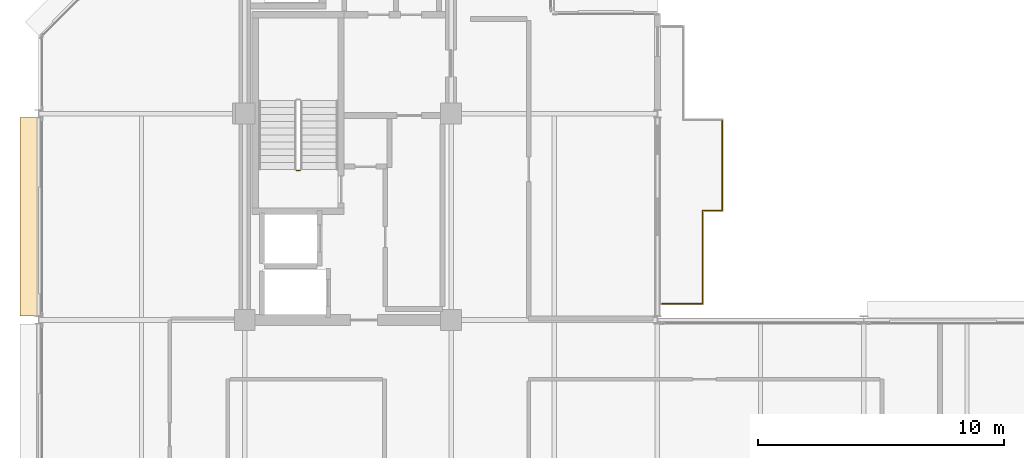
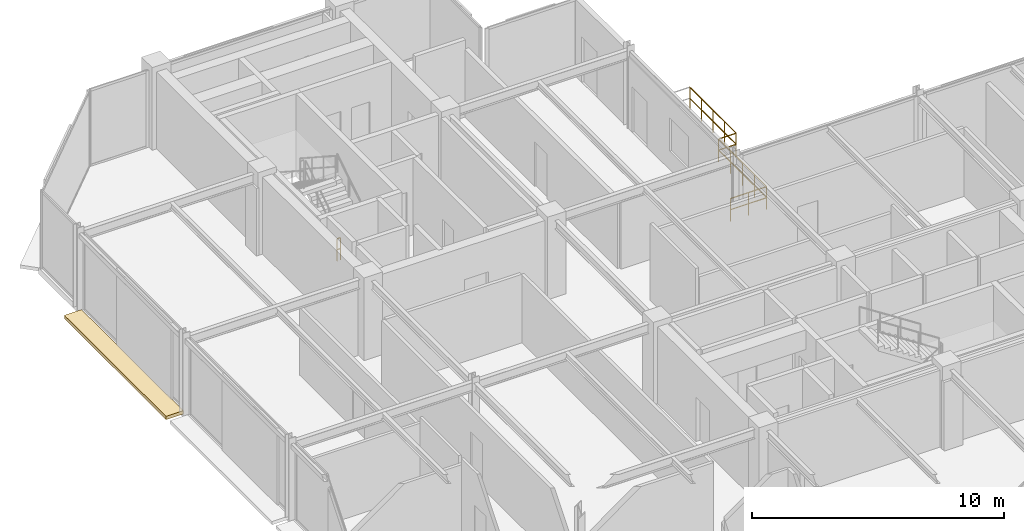
# One storey, part 25 of 27: 5 railings, 1 covering.
"""IFC4 building model written with IfcOpenShell, lengths in metres."""

import ifcopenshell
import ifcopenshell.guid

model = None  # the IFC model being written
_history = None  # IfcOwnerHistory: only IFC2X3 demands one
_inside = {}  # id of a spatial element -> (the spatial element, [elements in it])
_under = {}  # id of a project, library or spatial element -> (it, [spatial elements below it])
_declared = {}  # id of a project -> (the project, [libraries it declares])
_typed = {}  # id of a type object -> (the type object, [elements of that type])
_made_of = {}  # id of a material, layer set ... -> (it, [elements and type objects made of it])


def new_model(schema):
    """Start an empty IFC model of exactly this schema.

    Asked for "IFC4X3", IfcOpenShell would pick the latest addendum, in which some entities
    have other attributes; the version numbers below select the first issue.
    IFC2X3 requires an IfcOwnerHistory on every rooted entity: one is made here for all.
    """
    global model, _history
    if schema == "IFC4X3":
        model = ifcopenshell.file(schema_version=(4, 3, 0, 0))
    else:
        model = ifcopenshell.file(schema=schema)
    _inside.clear()
    _under.clear()
    _declared.clear()
    _typed.clear()
    _made_of.clear()
    _history = None
    if model.schema == "IFC2X3":
        org = make("IfcOrganization", Name="unknown")
        user = make(
            "IfcPersonAndOrganization",
            ThePerson=make("IfcPerson", FamilyName="unknown"),
            TheOrganization=org,
        )
        app = make(
            "IfcApplication",
            ApplicationDeveloper=org,
            Version="unknown",
            ApplicationFullName="unknown",
            ApplicationIdentifier="unknown",
        )
        _history = make(
            "IfcOwnerHistory",
            OwningUser=user,
            OwningApplication=app,
            ChangeAction="ADDED",
            CreationDate=0,
        )
    return model


def make(cls, **values):
    """One entity of the class cls with the attributes given. An attribute that is None is left unset."""
    return model.create_entity(
        cls, **{name: value for name, value in values.items() if value is not None}
    )


def rooted(cls, **values):
    """An entity with a GlobalId (a new one), such as an element, a storey or a relation."""
    return make(cls, GlobalId=ifcopenshell.guid.new(), OwnerHistory=_history, **values)


def si_unit(unit_type, name, prefix=None):
    """IfcSIUnit, for example si_unit("LENGTHUNIT", "METRE", prefix="MILLI")."""
    return make("IfcSIUnit", UnitType=unit_type, Prefix=prefix, Name=name)


def assignment(units):
    """IfcUnitAssignment: the units of a project."""
    return None if units is None else make("IfcUnitAssignment", Units=units)


def point(xyz):
    """IfcCartesianPoint."""
    return None if xyz is None else make("IfcCartesianPoint", Coordinates=xyz)


def direction(xyz):
    """IfcDirection."""
    return None if xyz is None else make("IfcDirection", DirectionRatios=xyz)


def frame(location, z_axis=None, x_axis=None):
    """IfcAxis2Placement3D, a coordinate frame: its origin and axes. An axis left out is left unset."""
    return make(
        "IfcAxis2Placement3D",
        Location=point(location),
        Axis=direction(z_axis),
        RefDirection=direction(x_axis),
    )


def frame_2d(location, x_axis=None):
    """IfcAxis2Placement2D, a coordinate frame in the plane: its origin and x axis."""
    return make(
        "IfcAxis2Placement2D", Location=point(location), RefDirection=direction(x_axis)
    )


def origin():
    """The frame at (0, 0, 0) with its axes left unset."""
    return frame((0.0, 0.0, 0.0))


def origin_2d():
    """The frame at (0, 0) in the plane with its x axis left unset."""
    return frame_2d((0.0, 0.0))


def place(relative_to, where):
    """IfcLocalPlacement: puts the frame where relative to a parent placement (None: the world)."""
    return make(
        "IfcLocalPlacement", PlacementRelTo=relative_to, RelativePlacement=where
    )


def context(
    kind, dimensions, precision=None, world=None, true_north=None, identifier=None
):
    """IfcGeometricRepresentationContext, for example the 3D "Model" context."""
    return make(
        "IfcGeometricRepresentationContext",
        ContextIdentifier=identifier,
        ContextType=kind,
        CoordinateSpaceDimension=dimensions,
        Precision=precision,
        WorldCoordinateSystem=world,
        TrueNorth=true_north,
    )


def subcontext(parent, identifier, kind, view, scale=None):
    """IfcGeometricRepresentationSubContext, for example "Body" below "Model"."""
    return make(
        "IfcGeometricRepresentationSubContext",
        ContextIdentifier=identifier,
        ContextType=kind,
        ParentContext=parent,
        TargetScale=scale,
        TargetView=view,
    )


def project(units=None, contexts=None):
    """IfcProject with its units and contexts."""
    return rooted(
        "IfcProject",
        Name="project",
        RepresentationContexts=contexts,
        UnitsInContext=assignment(units),
    )


def spatial(cls, under=None, at=None, **own):
    """A site, building, storey or space (cls), placed at a placement, below another one or the project."""
    s = rooted(cls, ObjectPlacement=at, **own)
    if under is not None:
        _under.setdefault(under.id(), (under, []))[1].append(s)
    return s


def polyline(points):
    """IfcPolyline through the points."""
    return make("IfcPolyline", Points=[point(p) for p in points])


def profile(cls, at=None, kind="AREA", **sizes):
    """A parametric profile (cls). Its sizes go by their IFC names, for example OverallWidth=200.0."""
    return make(cls, ProfileType=kind, Position=at, **sizes)


def circle(**sizes):
    """IfcCircleProfileDef."""
    return profile("IfcCircleProfileDef", **sizes)


def outline(outer, holes=None, kind="AREA"):
    """IfcArbitraryClosedProfileDef: a profile drawn as a closed curve; with holes, ...WithVoids."""
    if holes is None:
        return make("IfcArbitraryClosedProfileDef", ProfileType=kind, OuterCurve=outer)
    return make(
        "IfcArbitraryProfileDefWithVoids",
        ProfileType=kind,
        OuterCurve=outer,
        InnerCurves=holes,
    )


def extrude(swept, where, along, depth):
    """IfcExtrudedAreaSolid: the profile swept, set in the frame where, extruded along a direction by depth."""
    return make(
        "IfcExtrudedAreaSolid",
        SweptArea=swept,
        Position=where,
        ExtrudedDirection=direction(along),
        Depth=depth,
    )


def shape(context_of_items, identifier, shape_type, items):
    """IfcShapeRepresentation: the items that make up one representation, for example the "Body"."""
    return make(
        "IfcShapeRepresentation",
        ContextOfItems=context_of_items,
        RepresentationIdentifier=identifier,
        RepresentationType=shape_type,
        Items=items,
    )


def material(Name=None, Category=None):
    """IfcMaterial."""
    return make("IfcMaterial", Name=Name, Category=Category)


def layer(
    of_material, thickness, ventilated=None, Name=None, Category=None, Priority=None
):
    """IfcMaterialLayer: one layer of a wall or slab, of a material (None: an air gap)."""
    return make(
        "IfcMaterialLayer",
        Material=of_material,
        LayerThickness=thickness,
        IsVentilated=ventilated,
        Name=Name,
        Category=Category,
        Priority=Priority,
    )


def layer_set(layers, Name=None):
    """IfcMaterialLayerSet."""
    return make("IfcMaterialLayerSet", MaterialLayers=layers, LayerSetName=Name)


def made_of(thing, what):
    """Note that an element or type object is made of a material, layer set ...; save() writes the relation."""
    if what is not None:
        _made_of.setdefault(what.id(), (what, []))[1].append(thing)
    return thing


def type_object(cls, material=None, **own):
    """A type object (cls), such as IfcWallType, which elements share."""
    return made_of(rooted(cls, **own), material)


def element(
    cls,
    number,
    at=None,
    inside=None,
    cuts=None,
    type_object=None,
    material=None,
    context=None,
    identifier="Body",
    shape_type=None,
    held_by="IfcProductDefinitionShape",
    body=None,
    shapes=None,
    **own,
):
    """One element of the class cls, such as IfcWall. Its Tag is "e" and its number.

    at: its placement. inside: the storey or other place that contains it. cuts: it is an
    opening in that element (IfcRelVoidsElement). A single representation is given by context,
    identifier, shape_type and body (its items); several are given by shapes. held_by: the class
    of the entity that holds the representations. save() writes the other relations.
    """
    e = rooted(cls, Tag="e%d" % number, ObjectPlacement=at, **own)
    if body is not None:
        shapes = [shape(context, identifier, shape_type, body)]
    if shapes is not None:
        e.Representation = make(held_by, Representations=shapes)
    if inside is not None:
        _inside.setdefault(inside.id(), (inside, []))[1].append(e)
    if cuts is not None:
        rooted(
            "IfcRelVoidsElement", RelatingBuildingElement=cuts, RelatedOpeningElement=e
        )
    if type_object is not None:
        _typed.setdefault(type_object.id(), (type_object, []))[1].append(e)
    return made_of(e, material)


def aggregate(whole, parts):
    """IfcRelAggregates: a whole, such as a stair, and the parts it consists of."""
    return rooted("IfcRelAggregates", RelatingObject=whole, RelatedObjects=parts)


def save(model, path):
    """Write the relations noted so far, then the file.

    IfcRelAggregates (storeys below a building ...), IfcRelContainedInSpatialStructure (elements
    in a storey), IfcRelDefinesByType, IfcRelAssociatesMaterial and IfcRelDeclares: one each for
    every whole, place, type object, material and project.
    """
    for whole, parts in _under.values():
        aggregate(whole, parts)
    for where, things in _inside.values():
        rooted(
            "IfcRelContainedInSpatialStructure",
            RelatedElements=things,
            RelatingStructure=where,
        )
    for kind, things in _typed.values():
        rooted("IfcRelDefinesByType", RelatedObjects=things, RelatingType=kind)
    for what, things in _made_of.values():
        rooted("IfcRelAssociatesMaterial", RelatedObjects=things, RelatingMaterial=what)
    for by, libraries in _declared.values():
        rooted("IfcRelDeclares", RelatingContext=by, RelatedDefinitions=libraries)
    model.write(path)


model = new_model("IFC4")

# Units and contexts
model_context = context("Model", 3, precision=1e-05, world=origin(), true_north=direction((0.0, 1.0)))
body_context = subcontext(model_context, "Body", "Model", "MODEL_VIEW")
ifc_project = project(units=[si_unit("LENGTHUNIT", "METRE"), si_unit("AREAUNIT", "SQUARE_METRE"), si_unit("VOLUMEUNIT", "CUBIC_METRE"), si_unit("PLANEANGLEUNIT", "RADIAN"), si_unit("MASSUNIT", "GRAM", prefix="KILO")], contexts=[model_context])

# Site, building, storey
site_placement = place(None, origin())
site = spatial("IfcSite", under=ifc_project, at=site_placement, CompositionType="ELEMENT")
building_placement = place(site_placement, origin())
building = spatial("IfcBuilding", under=site, at=building_placement, Name="Nerrivon Quay Data Exchange", CompositionType="ELEMENT")
storey_placement = place(building_placement, frame((0.0, 0.0, 278.199951171875)))
storey = spatial("IfcBuildingStorey", under=building, at=storey_placement, Name="L66", CompositionType="ELEMENT", Elevation=278.199951171875)

# Covering
ifc_material_1 = material(Name="Architectural terracotta ceramic", Category="masonry")
ifc_layer = layer(ifc_material_1, 0.159912109375)
ifc_layer_set = layer_set([ifc_layer], Name="Architectural terracotta ceramic")
covering_type = type_object("IfcCoveringType", Name="COV-BLD-TERR", PredefinedType="CLADDING", material=ifc_layer_set)
covering_placement = place(storey_placement, frame((0.0, 0.0, -0.159912109375)))
element("IfcCovering", 1, at=covering_placement, inside=storey, type_object=covering_type, Name="L66 Horizontal Terracotta SOLAR SCREEN Blade", PredefinedType="CLADDING", context=body_context, shape_type="SweptSolid", body=[
    extrude(outline(polyline([(0.0400390625, 25.363525390625), (0.0400390625, 33.4365234375), (-0.75, 33.4365234375), (-0.75, 25.363525390625), (0.0400390625, 25.363525390625)])), origin(), (0.0, 0.0, 1.0), 0.159912109375),
])

# Railings
ifc_material_2 = material(Name="Steel Grade C350L0 (350 MPa)", Category="steel")
railing_type_1 = type_object("IfcRailingType", Name="RAIL-GUARD-GR2", PredefinedType="BALUSTRADE", material=ifc_material_2)
railing_1_placement = place(storey_placement, frame((27.0400390625, 29.659912109375, 0.0)))
element("IfcRailing", 2, at=railing_1_placement, inside=storey, type_object=railing_type_1, Name="L66 Verandah Balcony Guard 1.1 1", PredefinedType="BALUSTRADE", context=body_context, shape_type="SweptSolid", body=[
    extrude(circle(Radius=0.02392578125, at=origin_2d()), frame((0.0, 0.0, 1.09619140625), z_axis=(0.0, -1.0, 0.0), x_axis=(1.0, 0.0, 0.0)), (0.0, 0.0, 1.0), 3.7998046875),
    extrude(circle(Radius=0.02392578125, at=origin_2d()), frame((0.0, 0.0, 0.56005859375), z_axis=(0.0, -1.0, 0.0), x_axis=(1.0, 0.0, 0.0)), (0.0, 0.0, 1.0), 3.7998046875),
    extrude(circle(Radius=0.02099609375, at=origin_2d()), origin(), (0.0, 0.0, 1.0), 1.072021484375),
    extrude(circle(Radius=0.02099609375, at=origin_2d()), frame((0.0, -0.949951171875, 0.0)), (0.0, 0.0, 1.0), 1.072021484375),
    extrude(circle(Radius=0.02099609375, at=origin_2d()), frame((0.0, -1.89990234375, 0.0)), (0.0, 0.0, 1.0), 1.072021484375),
    extrude(circle(Radius=0.02099609375, at=origin_2d()), frame((0.0, -2.849853515625, 0.0)), (0.0, 0.0, 1.0), 1.072021484375),
    extrude(circle(Radius=0.02099609375, at=origin_2d()), frame((0.0, -3.7998046875, 0.0)), (0.0, 0.0, 1.0), 1.072021484375),
])
railing_2_placement = place(storey_placement, frame((27.0400390625, 25.860107421875, 0.0)))
element("IfcRailing", 3, at=railing_2_placement, inside=storey, type_object=railing_type_1, Name="L66 Verandah Balcony Guard 1.2 1", PredefinedType="BALUSTRADE", context=body_context, shape_type="SweptSolid", body=[
    extrude(circle(Radius=0.02392578125, at=origin_2d()), frame((0.0, 0.0, 1.09619140625), z_axis=(-1.0, 0.0, 0.0), x_axis=(0.0, -1.0, 0.0)), (0.0, 0.0, 1.0), 1.66015625),
    extrude(circle(Radius=0.02392578125, at=origin_2d()), frame((0.0, 0.0, 0.56005859375), z_axis=(-1.0, 0.0, 0.0), x_axis=(0.0, -1.0, 0.0)), (0.0, 0.0, 1.0), 1.66015625),
    extrude(circle(Radius=0.02099609375, at=origin_2d()), origin(), (0.0, 0.0, 1.0), 1.072021484375),
    extrude(circle(Radius=0.02099609375, at=origin_2d()), frame((-0.830078125, 0.0, 0.0)), (0.0, 0.0, 1.0), 1.072021484375),
    extrude(circle(Radius=0.02099609375, at=origin_2d()), frame((-1.66015625, 0.0, 0.0)), (0.0, 0.0, 1.0), 1.072021484375),
])
railing_3_placement = place(storey_placement, frame((27.840087890625, 33.340087890625, 0.0)))
element("IfcRailing", 4, at=railing_3_placement, inside=storey, type_object=railing_type_1, Name="L66 Verandah Balcony Guard 1.6 1", PredefinedType="BALUSTRADE", context=body_context, shape_type="SweptSolid", body=[
    extrude(circle(Radius=0.02392578125, at=origin_2d()), frame((0.0, 0.0, 1.09619140625), z_axis=(0.0, -1.0, 0.0), x_axis=(1.0, 0.0, 0.0)), (0.0, 0.0, 1.0), 3.68017578125),
    extrude(circle(Radius=0.02392578125, at=origin_2d()), frame((0.0, 0.0, 0.56005859375), z_axis=(0.0, -1.0, 0.0), x_axis=(1.0, 0.0, 0.0)), (0.0, 0.0, 1.0), 3.68017578125),
    extrude(circle(Radius=0.02099609375, at=origin_2d()), origin(), (0.0, 0.0, 1.0), 1.072021484375),
    extrude(circle(Radius=0.02099609375, at=origin_2d()), frame((0.0, -0.919921875, 0.0)), (0.0, 0.0, 1.0), 1.072021484375),
    extrude(circle(Radius=0.02099609375, at=origin_2d()), frame((0.0, -1.840087890625, 0.0)), (0.0, 0.0, 1.0), 1.072021484375),
    extrude(circle(Radius=0.02099609375, at=origin_2d()), frame((0.0, -2.76025390625, 0.0)), (0.0, 0.0, 1.0), 1.072021484375),
    extrude(circle(Radius=0.02099609375, at=origin_2d()), frame((0.0, -3.68017578125, 0.0)), (0.0, 0.0, 1.0), 1.072021484375),
])
railing_4_placement = place(storey_placement, frame((27.840087890625, 29.659912109375, 0.0)))
element("IfcRailing", 5, at=railing_4_placement, inside=storey, type_object=railing_type_1, Name="L66 Verandah Balcony Guard 1.7 1", PredefinedType="BALUSTRADE", context=body_context, shape_type="SweptSolid", body=[
    extrude(circle(Radius=0.02392578125, at=origin_2d()), frame((0.0, 0.0, 1.09619140625), z_axis=(-1.0, 0.0, 0.0), x_axis=(0.0, -1.0, 0.0)), (0.0, 0.0, 1.0), 0.800048828125),
    extrude(circle(Radius=0.02392578125, at=origin_2d()), frame((0.0, 0.0, 0.56005859375), z_axis=(-1.0, 0.0, 0.0), x_axis=(0.0, -1.0, 0.0)), (0.0, 0.0, 1.0), 0.800048828125),
    extrude(circle(Radius=0.02099609375, at=origin_2d()), origin(), (0.0, 0.0, 1.0), 1.072021484375),
    extrude(circle(Radius=0.02099609375, at=origin_2d()), frame((-0.800048828125, 0.0, 0.0)), (0.0, 0.0, 1.0), 1.072021484375),
])
railing_type_2 = type_object("IfcRailingType", Name="RAIL-STAIR-GR1", PredefinedType="BALUSTRADE", material=ifc_material_2)
railing_5_placement = place(storey_placement, frame((10.64990234375, 31.280029296875, 0.0)))
element("IfcRailing", 6, at=railing_5_placement, inside=storey, type_object=railing_type_2, Name="L66 ST01 stair guard 4", PredefinedType="BALUSTRADE", context=body_context, shape_type="SweptSolid", body=[
    extrude(circle(Radius=0.02392578125, at=origin_2d()), frame((0.0, 0.0, 1.076171875), z_axis=(-1.0, 0.0, 0.0), x_axis=(0.0, -1.0, 0.0)), (0.0, 0.0, 1.0), 0.14990234375),
    extrude(circle(Radius=0.02392578125, at=origin_2d()), frame((0.0, 0.0, 0.550048828125), z_axis=(-1.0, 0.0, 0.0), x_axis=(0.0, -1.0, 0.0)), (0.0, 0.0, 1.0), 0.14990234375),
    extrude(circle(Radius=0.02099609375, at=origin_2d()), origin(), (0.0, 0.0, 1.0), 1.052001953125),
    extrude(circle(Radius=0.02099609375, at=origin_2d()), frame((-0.14990234375, 0.0, 0.0)), (0.0, 0.0, 1.0), 1.052001953125),
])

save(model, "model.ifc")
